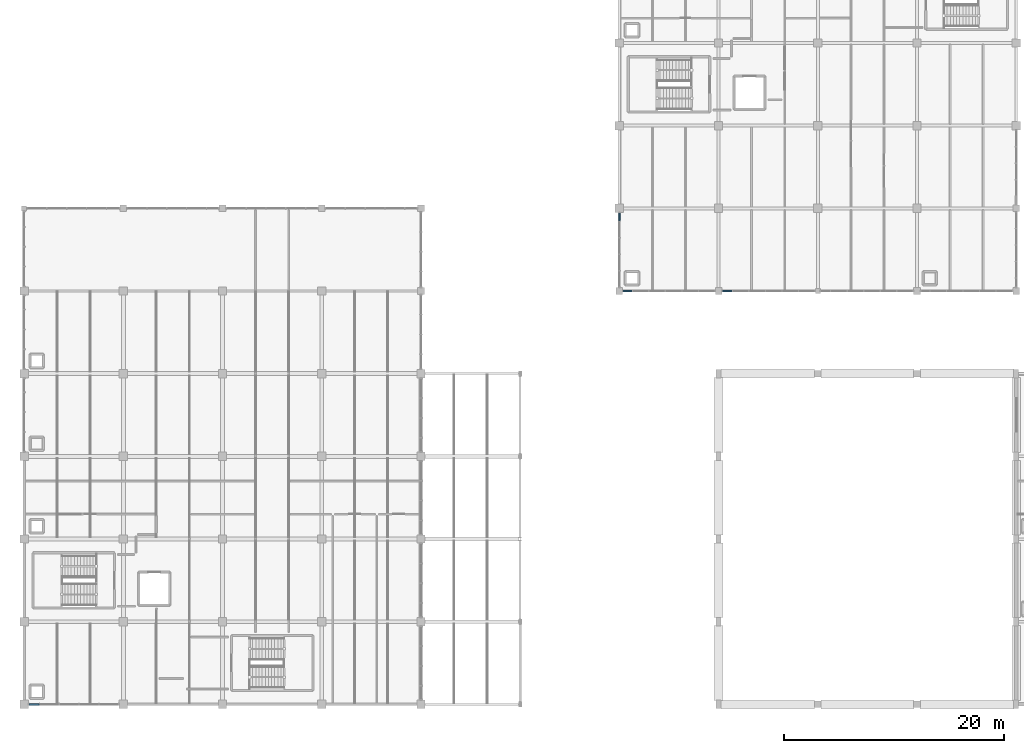
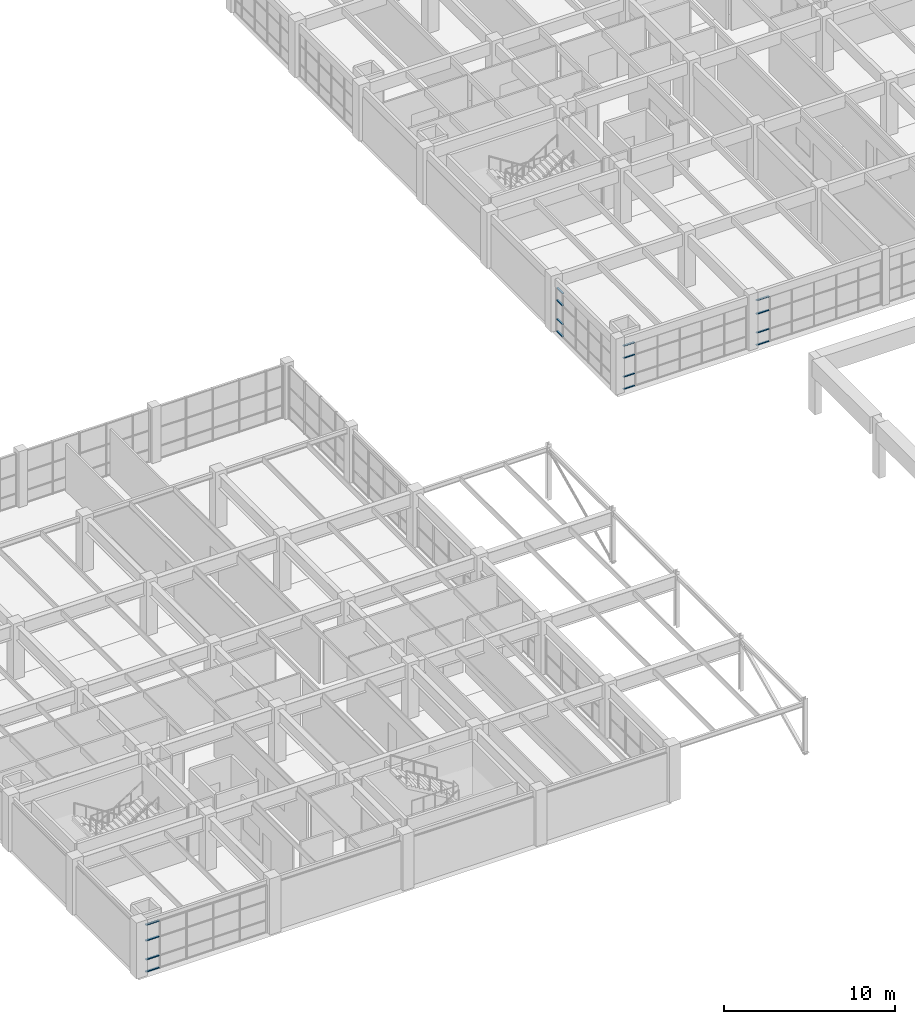
# One storey, part 40 of 76: 16 members, 4 elements without a shape of their own.
"""IFC4 building model written with IfcOpenShell, lengths in metres."""

from ifc_helpers import new_model, si_unit, direction, frame, origin, origin_2d, place, context, subcontext, project, spatial, rectangle, extrude, material, layer, layer_set, material_profile, profile_set, type_object, element, aggregate, save


model = new_model("IFC4")

# Units and contexts
model_context = context("Model", 3, precision=1e-05, world=origin(), true_north=direction((0.0, 1.0)))
body_context = subcontext(model_context, "Body", "Model", "MODEL_VIEW")
ifc_project = project(units=[si_unit("LENGTHUNIT", "METRE"), si_unit("AREAUNIT", "SQUARE_METRE"), si_unit("VOLUMEUNIT", "CUBIC_METRE"), si_unit("PLANEANGLEUNIT", "RADIAN"), si_unit("MASSUNIT", "GRAM", prefix="KILO")], contexts=[model_context])

# Site, building, storey
site_placement = place(None, origin())
site = spatial("IfcSite", under=ifc_project, at=site_placement, CompositionType="ELEMENT")
building_placement = place(site_placement, origin())
building = spatial("IfcBuilding", under=site, at=building_placement, Name="Marnridge Secondary College", CompositionType="ELEMENT")
storey_placement = place(building_placement, frame((0.0, 0.0, 4.5)))
storey = spatial("IfcBuildingStorey", under=building, at=storey_placement, Name="L01", CompositionType="ELEMENT", Elevation=4.5)

# Curtain wall, members
ifc_material_1 = material(Name="Thermally broken aluminium and low-E glazing", Category="aluminium")
ifc_layer_1 = layer(ifc_material_1, 0.159912109375)
ifc_layer_set_1 = layer_set([ifc_layer_1], Name="CW-MOD-1500")
curtain_wall_type_1 = type_object("IfcCurtainWallType", Name="CW-MOD-1500", PredefinedType="NOTDEFINED", material=ifc_layer_set_1)
curtain_wall_1_placement = place(storey_placement, origin())
curtain_wall_1 = element("IfcCurtainWall", 1, at=curtain_wall_1_placement, inside=storey, type_object=curtain_wall_type_1, Name="Unitised curtain wall CW-L01-037", PredefinedType="NOTDEFINED")
ifc_material_2 = material(Name="Anodised aluminium 6063-T6", Category="aluminium")
ifc_material_profile_1 = material_profile(ifc_material_2, rectangle(XDim=0.06005859375, YDim=0.1201171875, at=origin_2d()), Name="ALU 60x120")
ifc_profile_set_1 = profile_set([ifc_material_profile_1], Name="Anodised aluminium 6063-T6")
member_type_1 = type_object("IfcMemberType", Name="CWT-ALU120", PredefinedType="USERDEFINED", material=ifc_profile_set_1)
member_1_placement = place(storey_placement, frame((64.2109375, 37.5, 0.030029296875), z_axis=(-1.0, 0.0, 0.0), x_axis=(0.0, 0.0, 1.0)))
member_1 = element("IfcMember", 2, at=member_1_placement, type_object=member_type_1, Name="CW-L01-037 transom 6.1", ObjectType="TRANSOM", PredefinedType="USERDEFINED", context=body_context, shape_type="SweptSolid", body=[
    extrude(rectangle(XDim=0.06005859375, YDim=0.1201171875, at=origin_2d()), origin(), (0.0, 0.0, 1.0), 0.846923828125),
])
member_2_placement = place(storey_placement, frame((64.2109375, 37.5, 0.89990234375), z_axis=(-1.0, 0.0, 0.0), x_axis=(0.0, 0.0, 1.0)))
member_2 = element("IfcMember", 3, at=member_2_placement, type_object=member_type_1, Name="CW-L01-037 transom 6.2", ObjectType="TRANSOM", PredefinedType="USERDEFINED", context=body_context, shape_type="SweptSolid", body=[
    extrude(rectangle(XDim=0.06005859375, YDim=0.1201171875, at=origin_2d()), origin(), (0.0, 0.0, 1.0), 0.846923828125),
])
member_3_placement = place(storey_placement, frame((64.2109375, 37.5, 2.25), z_axis=(-1.0, 0.0, 0.0), x_axis=(0.0, 0.0, 1.0)))
member_3 = element("IfcMember", 4, at=member_3_placement, type_object=member_type_1, Name="CW-L01-037 transom 6.3", ObjectType="TRANSOM", PredefinedType="USERDEFINED", context=body_context, shape_type="SweptSolid", body=[
    extrude(rectangle(XDim=0.06005859375, YDim=0.1201171875, at=origin_2d()), origin(), (0.0, 0.0, 1.0), 0.846923828125),
])
member_4_placement = place(storey_placement, frame((64.2109375, 37.5, 3.217041015625), z_axis=(-1.0, 0.0, 0.0), x_axis=(0.0, 0.0, 1.0)))
member_4 = element("IfcMember", 5, at=member_4_placement, type_object=member_type_1, Name="CW-L01-037 transom 6.4", ObjectType="TRANSOM", PredefinedType="USERDEFINED", context=body_context, shape_type="SweptSolid", body=[
    extrude(rectangle(XDim=0.06005859375, YDim=0.1201171875, at=origin_2d()), origin(), (0.0, 0.0, 1.0), 0.846923828125),
])
aggregate(curtain_wall_1, [member_1, member_2, member_3, member_4])

curtain_wall_2_placement = place(storey_placement, origin())
curtain_wall_2 = element("IfcCurtainWall", 6, at=curtain_wall_2_placement, inside=storey, type_object=curtain_wall_type_1, Name="Unitised curtain wall CW-L01-038", PredefinedType="NOTDEFINED")
member_5_placement = place(storey_placement, frame((55.135986328125, 37.5, 0.030029296875), z_axis=(-1.0, 0.0, 0.0), x_axis=(0.0, 0.0, 1.0)))
member_5 = element("IfcMember", 7, at=member_5_placement, type_object=member_type_1, Name="CW-L01-038 transom 6.1", ObjectType="TRANSOM", PredefinedType="USERDEFINED", context=body_context, shape_type="SweptSolid", body=[
    extrude(rectangle(XDim=0.06005859375, YDim=0.1201171875, at=origin_2d()), origin(), (0.0, 0.0, 1.0), 0.77197265625),
])
member_6_placement = place(storey_placement, frame((55.135986328125, 37.5, 0.89990234375), z_axis=(-1.0, 0.0, 0.0), x_axis=(0.0, 0.0, 1.0)))
member_6 = element("IfcMember", 8, at=member_6_placement, type_object=member_type_1, Name="CW-L01-038 transom 6.2", ObjectType="TRANSOM", PredefinedType="USERDEFINED", context=body_context, shape_type="SweptSolid", body=[
    extrude(rectangle(XDim=0.06005859375, YDim=0.1201171875, at=origin_2d()), origin(), (0.0, 0.0, 1.0), 0.77197265625),
])
member_7_placement = place(storey_placement, frame((55.135986328125, 37.5, 2.25), z_axis=(-1.0, 0.0, 0.0), x_axis=(0.0, 0.0, 1.0)))
member_7 = element("IfcMember", 9, at=member_7_placement, type_object=member_type_1, Name="CW-L01-038 transom 6.3", ObjectType="TRANSOM", PredefinedType="USERDEFINED", context=body_context, shape_type="SweptSolid", body=[
    extrude(rectangle(XDim=0.06005859375, YDim=0.1201171875, at=origin_2d()), origin(), (0.0, 0.0, 1.0), 0.77197265625),
])
member_8_placement = place(storey_placement, frame((55.135986328125, 37.5, 3.116943359375), z_axis=(-1.0, 0.0, 0.0), x_axis=(0.0, 0.0, 1.0)))
member_8 = element("IfcMember", 10, at=member_8_placement, type_object=member_type_1, Name="CW-L01-038 transom 6.4", ObjectType="TRANSOM", PredefinedType="USERDEFINED", context=body_context, shape_type="SweptSolid", body=[
    extrude(rectangle(XDim=0.06005859375, YDim=0.1201171875, at=origin_2d()), origin(), (0.0, 0.0, 1.0), 0.77197265625),
])
aggregate(curtain_wall_2, [member_5, member_6, member_7, member_8])

curtain_wall_3_placement = place(storey_placement, origin())
curtain_wall_3 = element("IfcCurtainWall", 11, at=curtain_wall_3_placement, inside=storey, type_object=curtain_wall_type_1, Name="Unitised curtain wall CW-L01-039", PredefinedType="NOTDEFINED")
member_9_placement = place(storey_placement, frame((54.0, 43.864013671875, 0.030029296875), z_axis=(0.0, 1.0, 0.0), x_axis=(0.0, 0.0, 1.0)))
member_9 = element("IfcMember", 12, at=member_9_placement, type_object=member_type_1, Name="CW-L01-039 transom 5.1", ObjectType="TRANSOM", PredefinedType="USERDEFINED", context=body_context, shape_type="SweptSolid", body=[
    extrude(rectangle(XDim=0.06005859375, YDim=0.1201171875, at=origin_2d()), origin(), (0.0, 0.0, 1.0), 0.697021484375),
])
member_10_placement = place(storey_placement, frame((54.0, 43.864013671875, 0.89990234375), z_axis=(0.0, 1.0, 0.0), x_axis=(0.0, 0.0, 1.0)))
member_10 = element("IfcMember", 13, at=member_10_placement, type_object=member_type_1, Name="CW-L01-039 transom 5.2", ObjectType="TRANSOM", PredefinedType="USERDEFINED", context=body_context, shape_type="SweptSolid", body=[
    extrude(rectangle(XDim=0.06005859375, YDim=0.1201171875, at=origin_2d()), origin(), (0.0, 0.0, 1.0), 0.697021484375),
])
member_11_placement = place(storey_placement, frame((54.0, 43.864013671875, 2.25), z_axis=(0.0, 1.0, 0.0), x_axis=(0.0, 0.0, 1.0)))
member_11 = element("IfcMember", 14, at=member_11_placement, type_object=member_type_1, Name="CW-L01-039 transom 5.3", ObjectType="TRANSOM", PredefinedType="USERDEFINED", context=body_context, shape_type="SweptSolid", body=[
    extrude(rectangle(XDim=0.06005859375, YDim=0.1201171875, at=origin_2d()), origin(), (0.0, 0.0, 1.0), 0.697021484375),
])
member_12_placement = place(storey_placement, frame((54.0, 43.864013671875, 3.116943359375), z_axis=(0.0, 1.0, 0.0), x_axis=(0.0, 0.0, 1.0)))
member_12 = element("IfcMember", 15, at=member_12_placement, type_object=member_type_1, Name="CW-L01-039 transom 5.4", ObjectType="TRANSOM", PredefinedType="USERDEFINED", context=body_context, shape_type="SweptSolid", body=[
    extrude(rectangle(XDim=0.06005859375, YDim=0.1201171875, at=origin_2d()), origin(), (0.0, 0.0, 1.0), 0.697021484375),
])
aggregate(curtain_wall_3, [member_9, member_10, member_11, member_12])

ifc_material_3 = material(Name="Bronze-anodised aluminium and solar-control glazing", Category="aluminium")
ifc_layer_2 = layer(ifc_material_3, 0.199951171875)
ifc_layer_set_2 = layer_set([ifc_layer_2], Name="CW-MOD-1800")
curtain_wall_type_2 = type_object("IfcCurtainWallType", Name="CW-MOD-1800", PredefinedType="NOTDEFINED", material=ifc_layer_set_2)
curtain_wall_4_placement = place(storey_placement, origin())
curtain_wall_4 = element("IfcCurtainWall", 16, at=curtain_wall_4_placement, inside=storey, type_object=curtain_wall_type_2, Name="Unitised curtain wall CW-L01-069", PredefinedType="NOTDEFINED")
ifc_material_4 = material(Name="Anodised aluminium 6063-T6", Category="aluminium")
ifc_material_profile_2 = material_profile(ifc_material_4, rectangle(XDim=0.06494140625, YDim=0.139892578125, at=origin_2d()), Name="ALU 65x140")
ifc_profile_set_2 = profile_set([ifc_material_profile_2], Name="Anodised aluminium 6063-T6")
member_type_2 = type_object("IfcMemberType", Name="CWT-ALU140", PredefinedType="USERDEFINED", material=ifc_profile_set_2)
member_13_placement = place(storey_placement, frame((1.35107421875, 0.0, 0.032470703125), z_axis=(-1.0, 0.0, 0.0), x_axis=(0.0, 0.0, 1.0)))
member_13 = element("IfcMember", 17, at=member_13_placement, type_object=member_type_2, Name="CW-L01-069 transom 5.1", ObjectType="TRANSOM", PredefinedType="USERDEFINED", context=body_context, shape_type="SweptSolid", body=[
    extrude(rectangle(XDim=0.06494140625, YDim=0.139892578125, at=origin_2d()), origin(), (0.0, 0.0, 1.0), 0.902099609375),
])
member_14_placement = place(storey_placement, frame((1.35107421875, 0.0, 0.89990234375), z_axis=(-1.0, 0.0, 0.0), x_axis=(0.0, 0.0, 1.0)))
member_14 = element("IfcMember", 18, at=member_14_placement, type_object=member_type_2, Name="CW-L01-069 transom 5.2", ObjectType="TRANSOM", PredefinedType="USERDEFINED", context=body_context, shape_type="SweptSolid", body=[
    extrude(rectangle(XDim=0.06494140625, YDim=0.139892578125, at=origin_2d()), origin(), (0.0, 0.0, 1.0), 0.902099609375),
])
member_15_placement = place(storey_placement, frame((1.35107421875, 0.0, 2.25), z_axis=(-1.0, 0.0, 0.0), x_axis=(0.0, 0.0, 1.0)))
member_15 = element("IfcMember", 19, at=member_15_placement, type_object=member_type_2, Name="CW-L01-069 transom 5.3", ObjectType="TRANSOM", PredefinedType="USERDEFINED", context=body_context, shape_type="SweptSolid", body=[
    extrude(rectangle(XDim=0.06494140625, YDim=0.139892578125, at=origin_2d()), origin(), (0.0, 0.0, 1.0), 0.902099609375),
])
member_16_placement = place(storey_placement, frame((1.35107421875, 0.0, 3.37744140625), z_axis=(-1.0, 0.0, 0.0), x_axis=(0.0, 0.0, 1.0)))
member_16 = element("IfcMember", 20, at=member_16_placement, type_object=member_type_2, Name="CW-L01-069 transom 5.4", ObjectType="TRANSOM", PredefinedType="USERDEFINED", context=body_context, shape_type="SweptSolid", body=[
    extrude(rectangle(XDim=0.06494140625, YDim=0.139892578125, at=origin_2d()), origin(), (0.0, 0.0, 1.0), 0.902099609375),
])
aggregate(curtain_wall_4, [member_13, member_14, member_15, member_16])

save(model, "model.ifc")
